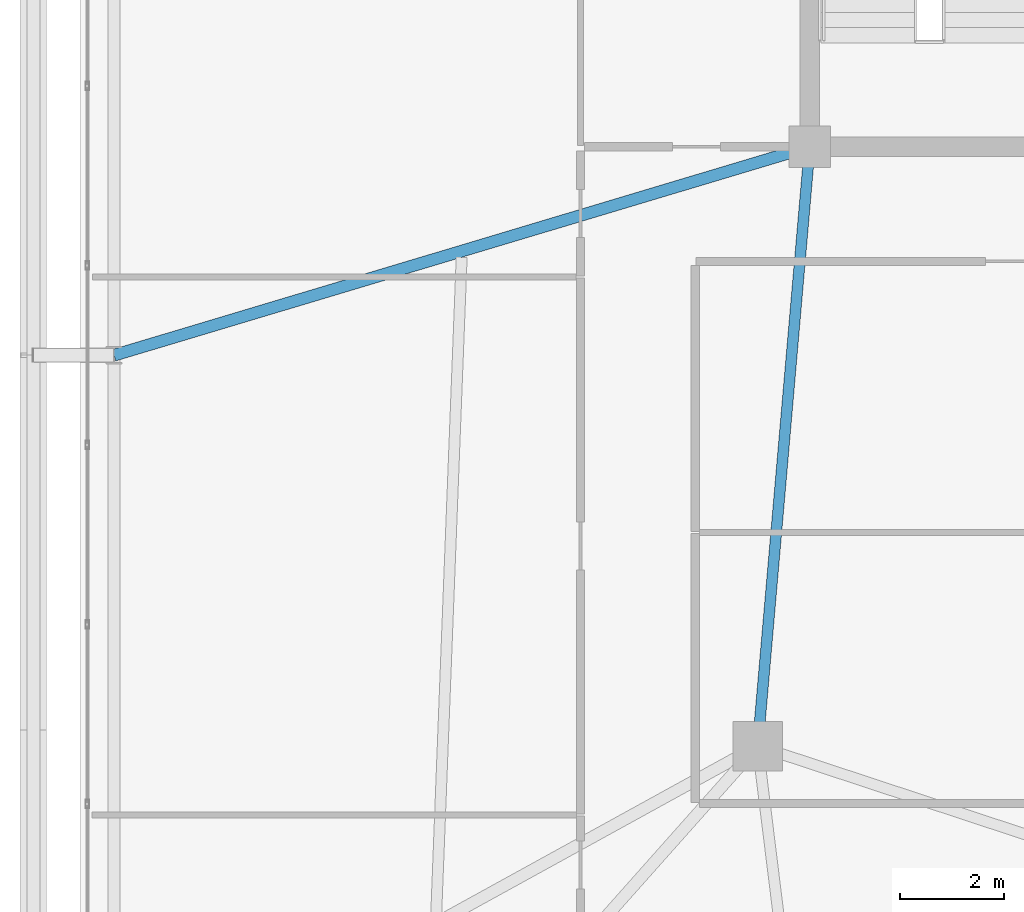
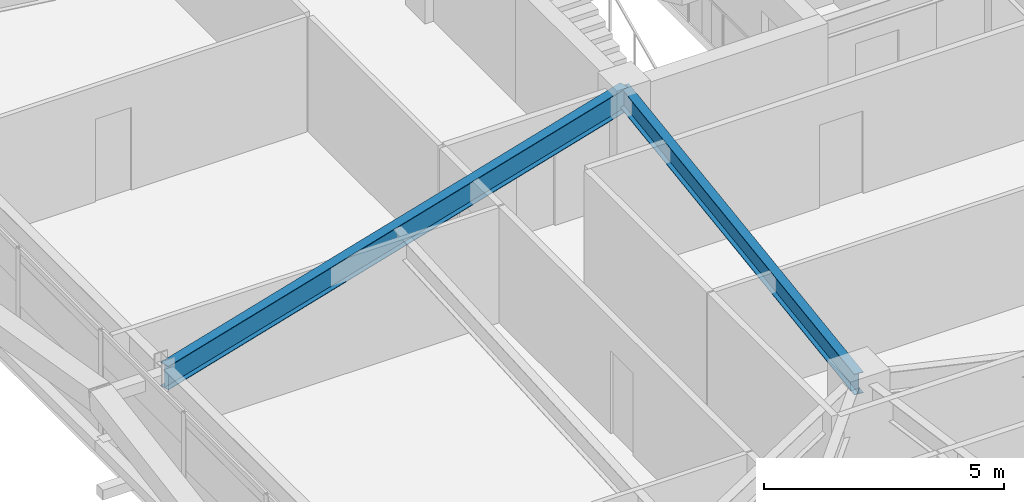
# One storey, part 15 of 59: 2 beams.
"""IFC4 building model written with IfcOpenShell, lengths in metres."""

from ifc_helpers import new_model, si_unit, direction, frame, origin, origin_2d, place, context, subcontext, project, spatial, i_section, extrude, source, transform, mapped, material, material_profile, profile_set, type_object, element, save


model = new_model("IFC4")

# Units and contexts
model_context = context("Model", 3, precision=1e-05, world=origin(), true_north=direction((0.0, 1.0)))
body_context = subcontext(model_context, "Body", "Model", "MODEL_VIEW")
ifc_project = project(units=[si_unit("LENGTHUNIT", "METRE"), si_unit("AREAUNIT", "SQUARE_METRE"), si_unit("VOLUMEUNIT", "CUBIC_METRE"), si_unit("PLANEANGLEUNIT", "RADIAN"), si_unit("MASSUNIT", "GRAM", prefix="KILO")], contexts=[model_context])

# Site, building, storey
site_placement = place(None, origin())
site = spatial("IfcSite", under=ifc_project, at=site_placement, CompositionType="ELEMENT")
building_placement = place(site_placement, origin())
building = spatial("IfcBuilding", under=site, at=building_placement, Name="Taldren Reach Tower", CompositionType="ELEMENT")
storey_placement = place(building_placement, frame((0.0, 0.0, 29.39990234375)))
storey = spatial("IfcBuildingStorey", under=building, at=storey_placement, Name="L08", CompositionType="ELEMENT", Elevation=29.39990234375)

# Beams
ifc_material = material(Name="Steel Gr 350 (350PLUS)", Category="steel")
ifc_material_profile_1 = material_profile(ifc_material, i_section(OverallWidth=0.208984375, OverallDepth=0.532958984375, WebThickness=0.01025390625, FlangeThickness=0.015625, at=origin_2d()), Name="530UB92.4")
ifc_profile_set_1 = profile_set([ifc_material_profile_1], Name="Steel Gr 350 (350PLUS)")
beam_type_1 = type_object("IfcBeamType", Name="BM-UB530A", PredefinedType="BEAM", material=ifc_profile_set_1)
shared_shape_1 = source(origin(), body_context, "Body", "SweptSolid", [
    extrude(i_section(OverallWidth=0.208984375, OverallDepth=0.532958984375, WebThickness=0.01025390625, FlangeThickness=0.015625, at=origin_2d()), origin(), (0.0, 0.0, 1.0), 11.54345703125),
])
beam_1_placement = place(storey_placement, frame((19.0, 24.0, 2.66357421875), z_axis=(-0.086629616365, -0.996240588196, 0.0), x_axis=(0.996240588196, -0.086629616365, 0.0)))
element("IfcBeam", 1, at=beam_1_placement, inside=storey, type_object=beam_type_1, Name="Core-spine girder L08-SP09", PredefinedType="BEAM", context=body_context, shape_type="MappedRepresentation", body=[
    mapped(shared_shape_1, transform((0.0, 0.0, 0.0), scale=1.0)),
])
ifc_material_profile_2 = material_profile(ifc_material, i_section(OverallWidth=0.22802734375, OverallDepth=0.60205078125, WebThickness=0.010498046875, FlangeThickness=0.014892578125, at=origin_2d()), Name="610UB101")
ifc_profile_set_2 = profile_set([ifc_material_profile_2], Name="Steel Gr 350 (350PLUS)")
beam_type_2 = type_object("IfcBeamType", Name="BM-UB610B", PredefinedType="BEAM", material=ifc_profile_set_2)
shared_shape_2 = source(origin(), body_context, "Body", "SweptSolid", [
    extrude(i_section(OverallWidth=0.22802734375, OverallDepth=0.60205078125, WebThickness=0.010498046875, FlangeThickness=0.014892578125, at=origin_2d()), origin(), (0.0, 0.0, 1.0), 13.9365234375),
])
beam_2_placement = place(storey_placement, frame((19.0, 24.0, 2.629150390625), z_axis=(-0.957925550891, -0.287016792104, 0.0), x_axis=(0.287016792104, -0.957925550891, 0.0)))
element("IfcBeam", 2, at=beam_2_placement, inside=storey, type_object=beam_type_2, Name="Primary floor girder B1-W2 L08", PredefinedType="BEAM", context=body_context, shape_type="MappedRepresentation", body=[
    mapped(shared_shape_2, transform((0.0, 0.0, 0.0), scale=1.0)),
])

save(model, "model.ifc")
